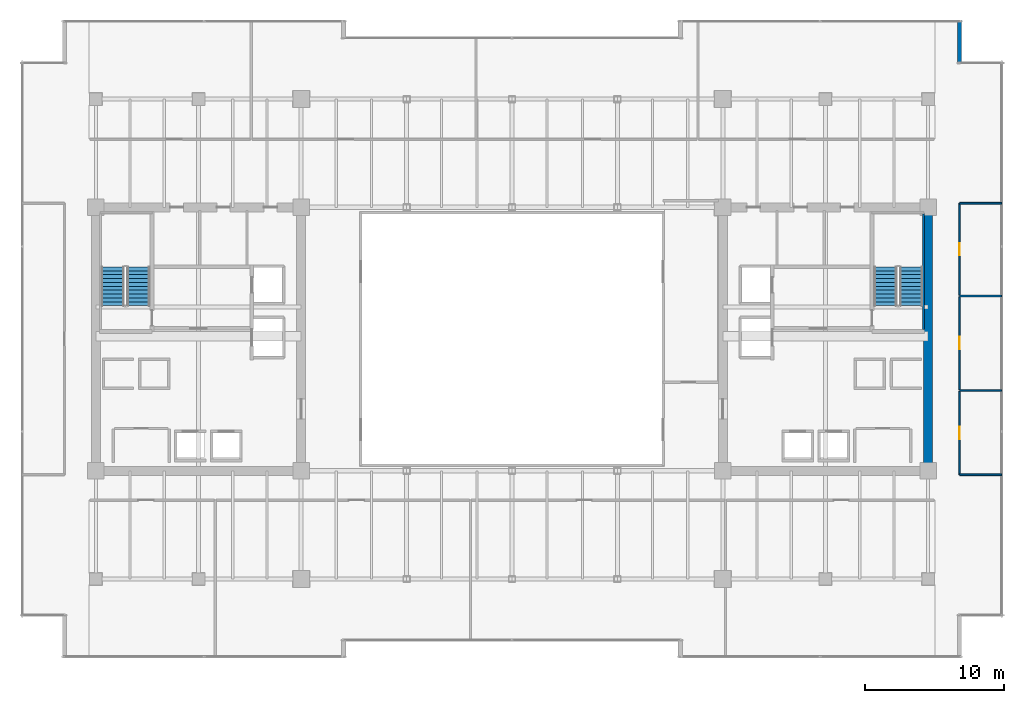
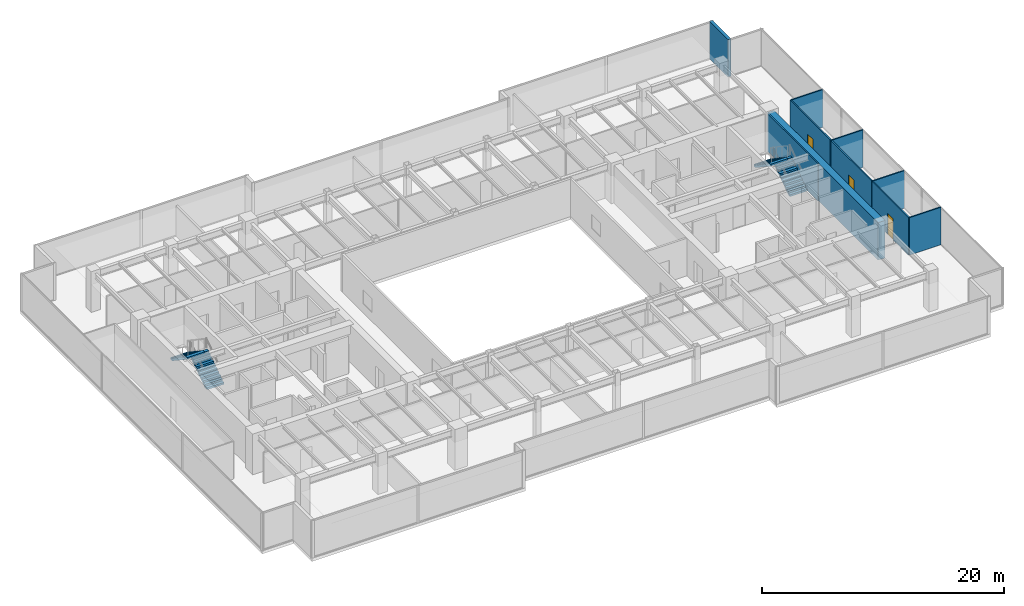
# One storey, part 28 of 33: 10 walls, 4 stair flights, 3 doors, 3 openings, 2 elements without a shape of their own.
"""IFC4 building model written with IfcOpenShell, lengths in metres."""

from ifc_helpers import new_model, si_unit, direction, frame, frame_2d, origin, place, context, subcontext, project, spatial, polyline, rectangle, outline, extrude, source, transform, mapped, material, layer, layer_set, type_object, type_shapes, element, fill, aggregate, save


model = new_model("IFC4")

# Units and contexts
model_context = context("Model", 3, precision=1e-05, world=origin(), true_north=direction((0.0, 1.0)))
body_context = subcontext(model_context, "Body", "Model", "MODEL_VIEW")
ifc_project = project(units=[si_unit("LENGTHUNIT", "METRE"), si_unit("AREAUNIT", "SQUARE_METRE"), si_unit("VOLUMEUNIT", "CUBIC_METRE"), si_unit("PLANEANGLEUNIT", "RADIAN"), si_unit("MASSUNIT", "GRAM", prefix="KILO")], contexts=[model_context])

# Site, building, storey
site_placement = place(None, origin())
site = spatial("IfcSite", under=ifc_project, at=site_placement, CompositionType="ELEMENT")
building_placement = place(site_placement, origin())
building = spatial("IfcBuilding", under=site, at=building_placement, Name="Haelvirn Gate Laboratories", CompositionType="ELEMENT")
storey_placement = place(building_placement, frame((0.0, 0.0, 117.39990234375)))
storey = spatial("IfcBuildingStorey", under=building, at=storey_placement, Name="L28", CompositionType="ELEMENT", Elevation=117.39990234375)

# Walls
ifc_material_1 = material(Name="Thermally-broken bronze aluminium rainscreen & mineral wool", Category="aluminium")
ifc_layer_1 = layer(ifc_material_1, 0.280029296875, Name="EW-TERR-280")
ifc_layer_set_1 = layer_set([ifc_layer_1], Name="Thermally-broken bronze aluminium rainscreen & mineral wool")
wall_type_1 = type_object("IfcWallType", Name="EW-TERR-280", PredefinedType="STANDARD", material=ifc_layer_set_1)
wall_1_placement = place(storey_placement, frame((69.659912109375, 44.2119140625, 0.0), z_axis=(0.0, 0.0, 1.0), x_axis=(0.0, 1.0, 0.0)))
element("IfcWall", 1, at=wall_1_placement, inside=storey, type_object=wall_type_1, Name="L28 Atrium Recess Bronze Return Wall 09", PredefinedType="STANDARD", context=body_context, shape_type="SweptSolid", body=[
    extrude(rectangle(XDim=3.088134765625, YDim=0.280029296875, at=frame_2d((1.5439453125, 0.0))), origin(), (0.0, 0.0, 1.0), 3.7900390625),
])
ifc_material_2 = material(Name="Lightweight acoustic gypsum board partition", Category="gypsum")
ifc_layer_2 = layer(ifc_material_2, 0.1201171875, Name="IW-PART-120")
ifc_layer_set_2 = layer_set([ifc_layer_2], Name="Lightweight acoustic gypsum board partition")
wall_type_2 = type_object("IfcWallType", Name="IW-PART-120", PredefinedType="PARTITIONING", material=ifc_layer_set_2)
for number, where, z_axis, x_axis, name in (
    (2, (69.669921875, 14.514892578125, 0.0), (0.0, 0.0, 1.0), (1.0, 0.0, 0.0), "L28 Interior Wall IW-L28-ECAP-S"),
    (3, (69.669921875, 34.0849609375, 0.0), (0.0, 0.0, 1.0), (1.0, 0.0, 0.0), "L28 Interior Wall IW-L28-ECAP-N"),
):
    element("IfcWall", number, at=place(storey_placement, frame(where, z_axis=z_axis, x_axis=x_axis)), inside=storey, type_object=wall_type_2, Name=name, PredefinedType="PARTITIONING", context=body_context, shape_type="SweptSolid", body=[
        extrude(rectangle(XDim=3.02001953125, YDim=0.1201171875, at=frame_2d((1.510009765625, 0.0))), origin(), (0.0, 0.0, 1.0), 3.7900390625),
    ])

# Wall, opening, door
wall_2_placement = place(storey_placement, frame((69.669921875, 14.514892578125, 0.0), z_axis=(0.0, 0.0, 1.0), x_axis=(0.0, 1.0, 0.0)))
wall_2 = element("IfcWall", 4, at=wall_2_placement, inside=storey, type_object=wall_type_2, Name="L28 Interior Wall IW-L28-EPASS-01", PredefinedType="PARTITIONING", context=body_context, shape_type="SweptSolid", body=[
    extrude(rectangle(XDim=6.025146484375, YDim=0.1201171875, at=frame_2d((3.0126953125, 0.0))), origin(), (0.0, 0.0, 1.0), 3.7900390625),
])
opening_1_placement = place(wall_2_placement, frame((2.5625, 0.0, 0.0)))
opening_1 = element("IfcOpeningElement", 5, at=opening_1_placement, cuts=wall_2, Name="Opening D4", PredefinedType="OPENING", context=body_context, shape_type="SweptSolid", body=[
    extrude(rectangle(XDim=0.89990234375, YDim=2.10009765625, at=frame_2d((0.449951171875, 1.050048828125))), frame((0.0, 0.070068359375, 0.0), z_axis=(0.0, -1.0, 0.0), x_axis=(1.0, 0.0, 0.0)), (0.0, 0.0, 1.0), 0.14013671875),
])
ifc_material_3 = material(Name="Glazed aluminium-framed write-up door", Category="aluminium")
door_type = type_object("IfcDoorType", Name="DR-OFF-900", OperationType="NOTDEFINED", PredefinedType="DOOR", material=ifc_material_3)
shared_shape_1 = source(origin(), body_context, "Body", "SweptSolid", [
    extrude(rectangle(XDim=0.89990234375, YDim=2.10009765625, at=frame_2d((0.449951171875, 1.050048828125))), frame((0.0, 0.02490234375, 0.0), z_axis=(0.0, -1.0, 0.0), x_axis=(1.0, 0.0, 0.0)), (0.0, 0.0, 1.0), 0.050048828125),
])
type_shapes(door_type, [shared_shape_1])
door_1_placement = place(opening_1_placement, origin())
door_1 = element("IfcDoor", 6, at=door_1_placement, inside=storey, type_object=door_type, Name="L28 Peer-Review Seminar Room Door E1", OperationType="SINGLE_SWING_LEFT", OverallHeight=2.10009765625, OverallWidth=0.89990234375, PredefinedType="DOOR", context=body_context, shape_type="MappedRepresentation", body=[
    mapped(shared_shape_1, transform((0.0, 0.0, 0.0), scale=1.0)),
])
fill(opening_1, door_1)

# Wall
wall_3_placement = place(storey_placement, frame((69.669921875, 20.60009765625, 0.0), z_axis=(0.0, 0.0, 1.0), x_axis=(1.0, 0.0, 0.0)))
element("IfcWall", 7, at=wall_3_placement, inside=storey, type_object=wall_type_2, Name="L28 Interior Wall IW-L28-EDIV-01", PredefinedType="PARTITIONING", context=body_context, shape_type="SweptSolid", body=[
    extrude(rectangle(XDim=3.02001953125, YDim=0.1201171875, at=frame_2d((1.510009765625, 0.0))), origin(), (0.0, 0.0, 1.0), 3.7900390625),
])

# Wall, opening, door
wall_4_placement = place(storey_placement, frame((69.669921875, 20.659912109375, 0.0), z_axis=(0.0, 0.0, 1.0), x_axis=(0.0, 1.0, 0.0)))
wall_4 = element("IfcWall", 8, at=wall_4_placement, inside=storey, type_object=wall_type_2, Name="L28 Interior Wall IW-L28-EPASS-02", PredefinedType="PARTITIONING", context=body_context, shape_type="SweptSolid", body=[
    extrude(rectangle(XDim=6.68017578125, YDim=0.1201171875, at=frame_2d((3.340087890625, 0.0))), origin(), (0.0, 0.0, 1.0), 3.7900390625),
])
opening_2_placement = place(wall_4_placement, frame((2.889892578125, 0.0, 0.0)))
opening_2 = element("IfcOpeningElement", 9, at=opening_2_placement, cuts=wall_4, Name="Opening D4", PredefinedType="OPENING", context=body_context, shape_type="SweptSolid", body=[
    extrude(rectangle(XDim=0.89990234375, YDim=2.10009765625, at=frame_2d((0.449951171875, 1.050048828125))), frame((0.0, 0.070068359375, 0.0), z_axis=(0.0, -1.0, 0.0), x_axis=(1.0, 0.0, 0.0)), (0.0, 0.0, 1.0), 0.14013671875),
])
door_2_placement = place(opening_2_placement, origin())
door_2 = element("IfcDoor", 10, at=door_2_placement, inside=storey, type_object=door_type, Name="L28 Chemical Synthesis Laboratory Door E2", OperationType="SINGLE_SWING_RIGHT", OverallHeight=2.10009765625, OverallWidth=0.89990234375, PredefinedType="DOOR", context=body_context, shape_type="MappedRepresentation", body=[
    mapped(shared_shape_1, transform((0.0, 0.0, 0.0), scale=1.0)),
])
fill(opening_2, door_2)

# Wall
wall_5_placement = place(storey_placement, frame((69.669921875, 27.39990234375, 0.0), z_axis=(0.0, 0.0, 1.0), x_axis=(1.0, 0.0, 0.0)))
element("IfcWall", 11, at=wall_5_placement, inside=storey, type_object=wall_type_2, Name="L28 Interior Wall IW-L28-EDIV-02", PredefinedType="PARTITIONING", context=body_context, shape_type="SweptSolid", body=[
    extrude(rectangle(XDim=3.02001953125, YDim=0.1201171875, at=frame_2d((1.510009765625, 0.0))), origin(), (0.0, 0.0, 1.0), 3.7900390625),
])

# Wall, opening, door
wall_6_placement = place(storey_placement, frame((69.669921875, 27.4599609375, 0.0), z_axis=(0.0, 0.0, 1.0), x_axis=(0.0, 1.0, 0.0)))
wall_6 = element("IfcWall", 12, at=wall_6_placement, inside=storey, type_object=wall_type_2, Name="L28 Interior Wall IW-L28-EPASS-03", PredefinedType="PARTITIONING", context=body_context, shape_type="SweptSolid", body=[
    extrude(rectangle(XDim=6.625, YDim=0.1201171875, at=frame_2d((3.3125, 0.0))), origin(), (0.0, 0.0, 1.0), 3.7900390625),
])
opening_3_placement = place(wall_6_placement, frame((2.862548828125, 0.0, 0.0)))
opening_3 = element("IfcOpeningElement", 13, at=opening_3_placement, cuts=wall_6, Name="Opening D4", PredefinedType="OPENING", context=body_context, shape_type="SweptSolid", body=[
    extrude(rectangle(XDim=0.89990234375, YDim=2.10009765625, at=frame_2d((0.449951171875, 1.050048828125))), frame((0.0, 0.070068359375, 0.0), z_axis=(0.0, -1.0, 0.0), x_axis=(1.0, 0.0, 0.0)), (0.0, 0.0, 1.0), 0.14013671875),
])
door_3_placement = place(opening_3_placement, origin())
door_3 = element("IfcDoor", 14, at=door_3_placement, inside=storey, type_object=door_type, Name="L28 Bioprocess Foundry Laboratory Door E3", OperationType="SINGLE_SWING_LEFT", OverallHeight=2.10009765625, OverallWidth=0.89990234375, PredefinedType="DOOR", context=body_context, shape_type="MappedRepresentation", body=[
    mapped(shared_shape_1, transform((0.0, 0.0, 0.0), scale=1.0)),
])
fill(opening_3, door_3)

# Walls
ifc_material_4 = material(Name="Concrete C60/75", Category="concrete")
ifc_layer_3 = layer(ifc_material_4, 0.64990234375, Name="SW-CORE-650")
ifc_layer_set_3 = layer_set([ifc_layer_3], Name="Concrete C60/75")
wall_type_3 = type_object("IfcWallType", Name="SW-CORE-650", PredefinedType="SHEAR", material=ifc_layer_set_3)
wall_7_placement = place(storey_placement, frame((67.39990234375, 15.125, 0.0), z_axis=(0.0, 0.0, 1.0), x_axis=(0.0, 1.0, 0.0)))
element("IfcWall", 15, at=wall_7_placement, inside=storey, type_object=wall_type_3, Name="L28 E Core Shear Wall E", PredefinedType="SHEAR", context=body_context, shape_type="SweptSolid", body=[
    extrude(rectangle(XDim=18.35009765625, YDim=0.64990234375, at=frame_2d((9.175048828125, 0.0))), origin(), (0.0, 0.0, 1.0), 3.7900390625),
])
ifc_material_5 = material(Name="Concrete C50/60", Category="concrete")
ifc_layer_4 = layer(ifc_material_5, 0.1201171875, Name="SW-LINER-120")
ifc_layer_set_4 = layer_set([ifc_layer_4], Name="Concrete C50/60")
wall_type_4 = type_object("IfcWallType", Name="SW-LINER-120", PredefinedType="SOLIDWALL", material=ifc_layer_set_4)
wall_8_placement = place(storey_placement, frame((67.070068359375, 25.0, 0.0), z_axis=(0.0, 0.0, 1.0), x_axis=(0.0, 1.0, 0.0)))
element("IfcWall", 16, at=wall_8_placement, inside=storey, type_object=wall_type_4, Name="L28 E Core Stair Shaft Liner Wall OUT", PredefinedType="SOLIDWALL", context=body_context, shape_type="SweptSolid", body=[
    extrude(rectangle(XDim=8.320068359375, YDim=0.1201171875, at=frame_2d((4.16015625, 0.0))), origin(), (0.0, 0.0, 1.0), 3.7900390625),
])

# Stair, stair flights
ifc_material_6 = material(Name="Concrete C40/50", Category="concrete")
stair_type = type_object("IfcStairType", Name="ST-DOG-1650-R22", PredefinedType="HALF_TURN_STAIR", material=ifc_material_6)
stair_1_placement = place(storey_placement, origin())
stair_1 = element("IfcStair", 17, at=stair_1_placement, inside=storey, type_object=stair_type, Name="L28 Escape Stair ST1", PredefinedType="HALF_TURN_STAIR")
stair_flight_type = type_object("IfcStairFlightType", Name="STF-1650-R11", PredefinedType="STRAIGHT", material=ifc_material_6)
shared_shape_2 = source(origin(), body_context, "Body", "SweptSolid", [
    extrude(outline(polyline([(0.0, 0.0), (0.0, 0.186279296875), (0.280029296875, 0.186279296875), (0.280029296875, 0.372802734375), (0.56005859375, 0.372802734375), (0.56005859375, 0.55908203125), (0.840087890625, 0.55908203125), (0.840087890625, 0.745361328125), (1.1201171875, 0.745361328125), (1.1201171875, 0.931884765625), (1.39990234375, 0.931884765625), (1.39990234375, 1.1181640625), (1.679931640625, 1.1181640625), (1.679931640625, 1.304443359375), (1.9599609375, 1.304443359375), (1.9599609375, 1.490966796875), (2.239990234375, 1.490966796875), (2.239990234375, 1.67724609375), (2.52001953125, 1.67724609375), (2.52001953125, 1.863525390625), (2.800048828125, 1.863525390625), (2.800048828125, 2.050048828125), (2.800048828125, 1.671630859375), (0.28857421875, 0.0), (0.0, 0.0)])), frame((0.0, 0.824951171875, 0.0), z_axis=(0.0, -1.0, 0.0), x_axis=(1.0, 0.0, 0.0)), (0.0, 0.0, 1.0), 1.64990234375),
])
type_shapes(stair_flight_type, [shared_shape_2])
stair_flight_1_placement = place(storey_placement, frame((10.47509765625, 26.699951171875, 0.0), z_axis=(0.0, 0.0, 1.0), x_axis=(0.0, 1.0, 0.0)))
stair_flight_1 = element("IfcStairFlight", 18, at=stair_flight_1_placement, type_object=stair_flight_type, Name="ST1 flight 1", NumberOfRisers=11, NumberOfTreads=10, PredefinedType="STRAIGHT", RiserHeight=0.186363636, TreadLength=0.28, context=body_context, shape_type="MappedRepresentation", body=[
    mapped(shared_shape_2, transform((0.0, 0.0, 0.0), scale=1.0)),
])
stair_flight_2_placement = place(storey_placement, frame((8.625, 29.5, 2.050048828125), z_axis=(0.0, 0.0, 1.0), x_axis=(0.0, -1.0, 0.0)))
stair_flight_2 = element("IfcStairFlight", 19, at=stair_flight_2_placement, type_object=stair_flight_type, Name="ST1 flight 2", NumberOfRisers=11, NumberOfTreads=10, PredefinedType="STRAIGHT", RiserHeight=0.186363636, TreadLength=0.28, context=body_context, shape_type="MappedRepresentation", body=[
    mapped(shared_shape_2, transform((0.0, 0.0, 0.0), scale=1.0)),
])
aggregate(stair_1, [stair_flight_1, stair_flight_2])

stair_2_placement = place(storey_placement, origin())
stair_2 = element("IfcStair", 20, at=stair_2_placement, inside=storey, type_object=stair_type, Name="L28 Escape Stair ST2", PredefinedType="HALF_TURN_STAIR")
stair_flight_3_placement = place(storey_placement, frame((66.175048828125, 26.699951171875, 0.0), z_axis=(0.0, 0.0, 1.0), x_axis=(0.0, 1.0, 0.0)))
stair_flight_3 = element("IfcStairFlight", 21, at=stair_flight_3_placement, type_object=stair_flight_type, Name="ST2 flight 1", NumberOfRisers=11, NumberOfTreads=10, PredefinedType="STRAIGHT", RiserHeight=0.186363636, TreadLength=0.28, context=body_context, shape_type="MappedRepresentation", body=[
    mapped(shared_shape_2, transform((0.0, 0.0, 0.0), scale=1.0)),
])
stair_flight_4_placement = place(storey_placement, frame((64.324951171875, 29.5, 2.050048828125), z_axis=(0.0, 0.0, 1.0), x_axis=(0.0, -1.0, 0.0)))
stair_flight_4 = element("IfcStairFlight", 22, at=stair_flight_4_placement, type_object=stair_flight_type, Name="ST2 flight 2", NumberOfRisers=11, NumberOfTreads=10, PredefinedType="STRAIGHT", RiserHeight=0.186363636, TreadLength=0.28, context=body_context, shape_type="MappedRepresentation", body=[
    mapped(shared_shape_2, transform((0.0, 0.0, 0.0), scale=1.0)),
])
aggregate(stair_2, [stair_flight_3, stair_flight_4])

save(model, "model.ifc")
